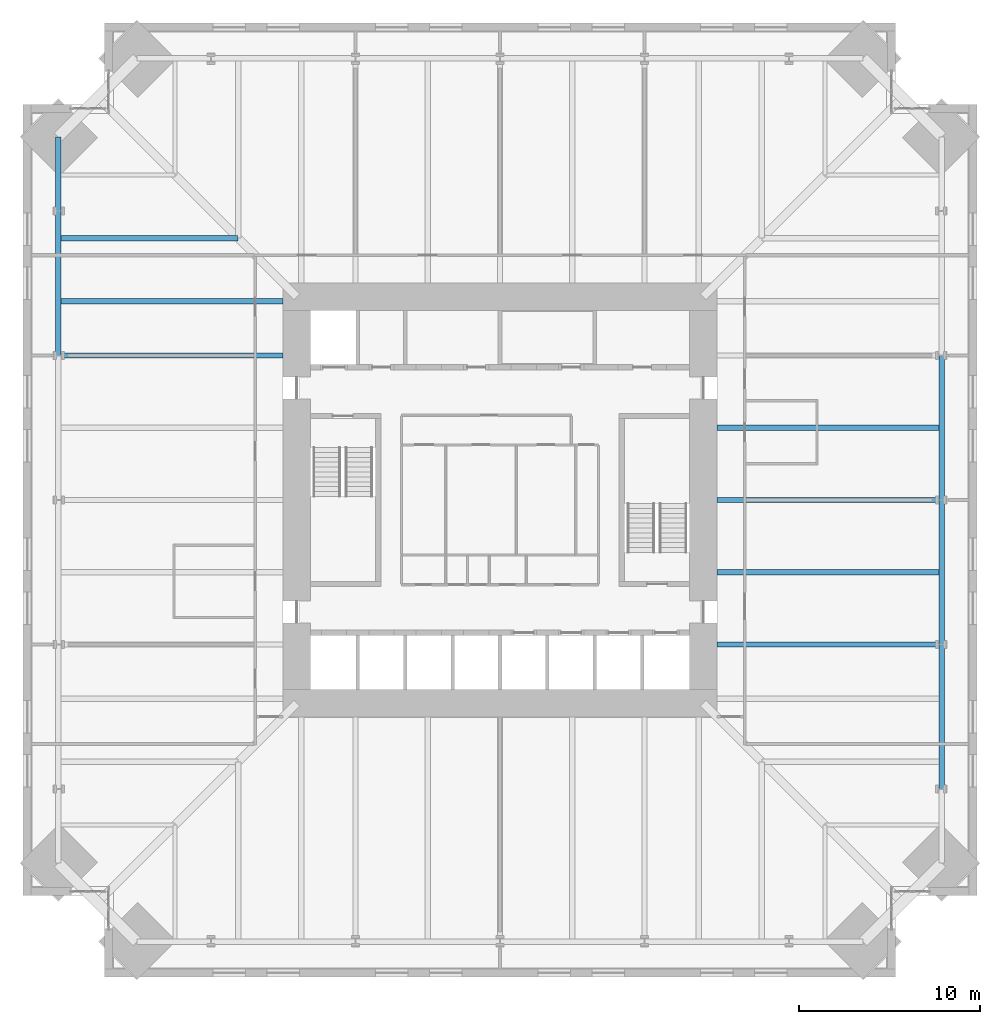
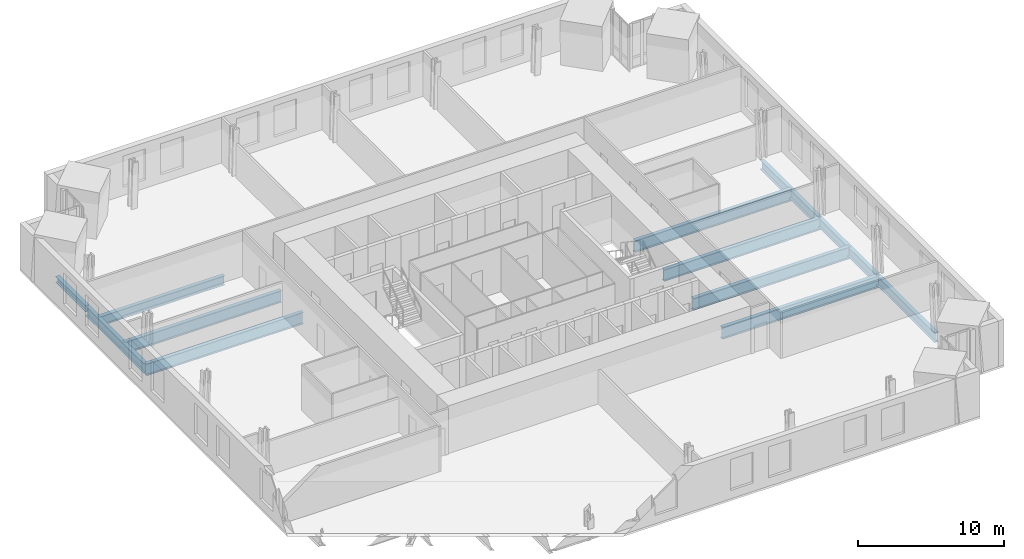
# One storey, part 5 of 18: 12 beams.
"""IFC4 building model written with IfcOpenShell, lengths in metres."""

from ifc_helpers import new_model, si_unit, direction, frame, origin, origin_2d, place, context, subcontext, project, spatial, i_section, extrude, material, material_profile, profile_set, type_object, element, save


model = new_model("IFC4")

# Units and contexts
model_context = context("Model", 3, precision=1e-05, world=origin(), true_north=direction((0.0, 1.0)))
body_context = subcontext(model_context, "Body", "Model", "MODEL_VIEW")
ifc_project = project(units=[si_unit("LENGTHUNIT", "METRE"), si_unit("AREAUNIT", "SQUARE_METRE"), si_unit("VOLUMEUNIT", "CUBIC_METRE"), si_unit("PLANEANGLEUNIT", "RADIAN"), si_unit("MASSUNIT", "GRAM", prefix="KILO")], contexts=[model_context])

# Site, building, storey
site_placement = place(None, origin())
site = spatial("IfcSite", under=ifc_project, at=site_placement, CompositionType="ELEMENT")
building_placement = place(site_placement, origin())
building = spatial("IfcBuilding", under=site, at=building_placement, Name="Peilmerk Tower", CompositionType="ELEMENT")
storey_placement = place(building_placement, frame((0.0, 0.0, 159.800048828125)))
storey = spatial("IfcBuildingStorey", under=building, at=storey_placement, Name="L33", CompositionType="ELEMENT", Elevation=159.800048828125)

# Beams
ifc_material = material(Name="Steel S355", Category="steel")
ifc_material_profile_1 = material_profile(ifc_material, i_section(OverallWidth=0.300048828125, OverallDepth=0.989990234375, WebThickness=0.0166015625, FlangeThickness=0.031005859375, at=origin_2d()), Name="HEA 1000")
ifc_profile_set_1 = profile_set([ifc_material_profile_1], Name="Steel S355")
beam_type_1 = type_object("IfcBeamType", Name="B14 HEA 1000 floor girder", PredefinedType="BEAM", material=ifc_profile_set_1)
for number, where, z_axis, x_axis, name in (
    (1, (12.0, -8.0, -0.6650390625), (1.0, 0.0, 0.0), (0.0, 1.0, 0.0), "Floor beam L33"),
    (2, (12.0, -4.0, -0.6650390625), (1.0, 0.0, 0.0), (0.0, 1.0, 0.0), "Floor beam L33"),
    (3, (12.0, 0.0, -0.6650390625), (1.0, 0.0, 0.0), (0.0, 1.0, 0.0), "Floor beam L33"),
    (4, (12.0, 4.0, -0.6650390625), (1.0, 0.0, 0.0), (0.0, 1.0, 0.0), "Floor beam L33"),
    (5, (-12.0, 11.0, -0.6650390625), (-1.0, 0.0, 0.0), (0.0, -1.0, 0.0), "Floor beam L33"),
    (6, (-12.0, 8.0, -0.6650390625), (-1.0, 0.0, 0.0), (0.0, -1.0, 0.0), "Floor beam L33"),
):
    element("IfcBeam", number, at=place(storey_placement, frame(where, z_axis=z_axis, x_axis=x_axis)), inside=storey, type_object=beam_type_1, Name=name, PredefinedType="BEAM", context=body_context, shape_type="SweptSolid", body=[
        extrude(i_section(OverallWidth=0.300048828125, OverallDepth=0.989990234375, WebThickness=0.0166015625, FlangeThickness=0.031005859375, at=origin_2d()), origin(), (0.0, 0.0, 1.0), 12.453125),
    ])
ifc_material_profile_2 = material_profile(ifc_material, i_section(OverallWidth=0.302978515625, OverallDepth=0.81396484375, WebThickness=0.02099609375, FlangeThickness=0.0400390625, at=origin_2d()), Name="HEM 800")
ifc_profile_set_2 = profile_set([ifc_material_profile_2], Name="Steel S355")
beam_type_2 = type_object("IfcBeamType", Name="B15 HEM 800 edge beam", PredefinedType="SPANDREL", material=ifc_profile_set_2)
for number, where, z_axis, x_axis, name in (
    (7, (24.453125, -16.0, -0.5771484375), (0.0, 1.0, 0.0), (-1.0, 0.0, 0.0), "Edge beam L33"),
    (8, (24.453125, -8.0, -0.5771484375), (0.0, 1.0, 0.0), (-1.0, 0.0, 0.0), "Edge beam L33"),
    (9, (24.453125, 0.0, -0.5771484375), (0.0, 1.0, 0.0), (-1.0, 0.0, 0.0), "Edge beam L33"),
    (10, (-24.453125, 16.0, -0.5771484375), (0.0, -1.0, 0.0), (1.0, 0.0, 0.0), "Edge beam L33"),
):
    element("IfcBeam", number, at=place(storey_placement, frame(where, z_axis=z_axis, x_axis=x_axis)), inside=storey, type_object=beam_type_2, Name=name, PredefinedType="SPANDREL", context=body_context, shape_type="SweptSolid", body=[
        extrude(i_section(OverallWidth=0.302978515625, OverallDepth=0.81396484375, WebThickness=0.02099609375, FlangeThickness=0.0400390625, at=origin_2d()), origin(), (0.0, 0.0, 1.0), 8.0),
    ])
ifc_material_profile_3 = material_profile(ifc_material, i_section(OverallWidth=0.300048828125, OverallDepth=0.7900390625, WebThickness=0.014892578125, FlangeThickness=0.028076171875, at=origin_2d()), Name="HEA 800")
ifc_profile_set_3 = profile_set([ifc_material_profile_3], Name="Steel S355")
beam_type_3 = type_object("IfcBeamType", Name="B3 HEA 800 floor beam", PredefinedType="BEAM", material=ifc_profile_set_3)
beam_1_placement = place(storey_placement, frame((-14.5, 14.5, -0.56494140625), z_axis=(-1.0, 0.0, 0.0), x_axis=(0.0, -1.0, 0.0)))
element("IfcBeam", 11, at=beam_1_placement, inside=storey, type_object=beam_type_3, Name="Floor beam L33", PredefinedType="BEAM", context=body_context, shape_type="SweptSolid", body=[
    extrude(i_section(OverallWidth=0.300048828125, OverallDepth=0.7900390625, WebThickness=0.014892578125, FlangeThickness=0.028076171875, at=origin_2d()), origin(), (0.0, 0.0, 1.0), 9.953125),
])
ifc_material_profile_4 = material_profile(ifc_material, i_section(OverallWidth=0.305908203125, OverallDepth=0.52392578125, WebThickness=0.02099609375, FlangeThickness=0.0400390625, at=origin_2d()), Name="HEM 500")
ifc_profile_set_4 = profile_set([ifc_material_profile_4], Name="Steel S355")
beam_type_4 = type_object("IfcBeamType", Name="B33 HEM 500 edge beam", PredefinedType="SPANDREL", material=ifc_profile_set_4)
beam_2_placement = place(storey_placement, frame((-24.453125, 20.103271484375, -0.43212890625), z_axis=(0.0, -1.0, 0.0), x_axis=(1.0, 0.0, 0.0)))
element("IfcBeam", 12, at=beam_2_placement, inside=storey, type_object=beam_type_4, Name="Edge beam L33", PredefinedType="SPANDREL", context=body_context, shape_type="SweptSolid", body=[
    extrude(i_section(OverallWidth=0.305908203125, OverallDepth=0.52392578125, WebThickness=0.02099609375, FlangeThickness=0.0400390625, at=origin_2d()), origin(), (0.0, 0.0, 1.0), 4.103271484375),
])

save(model, "model.ifc")
